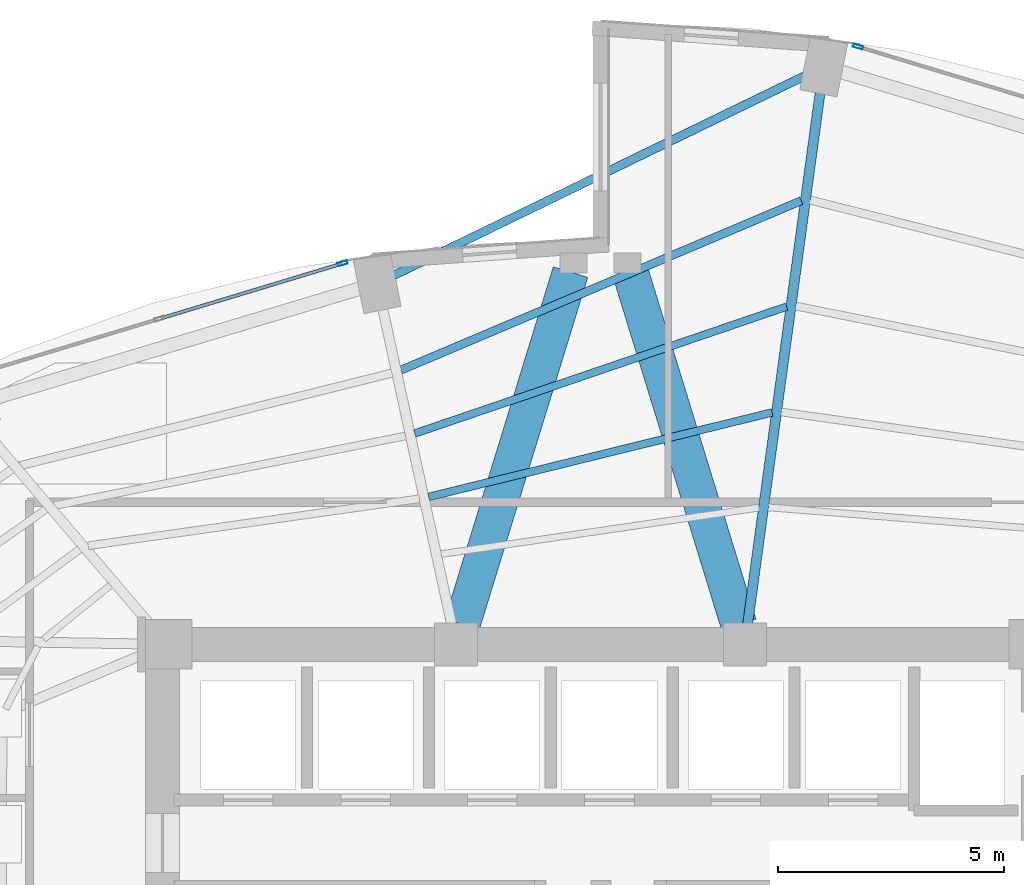
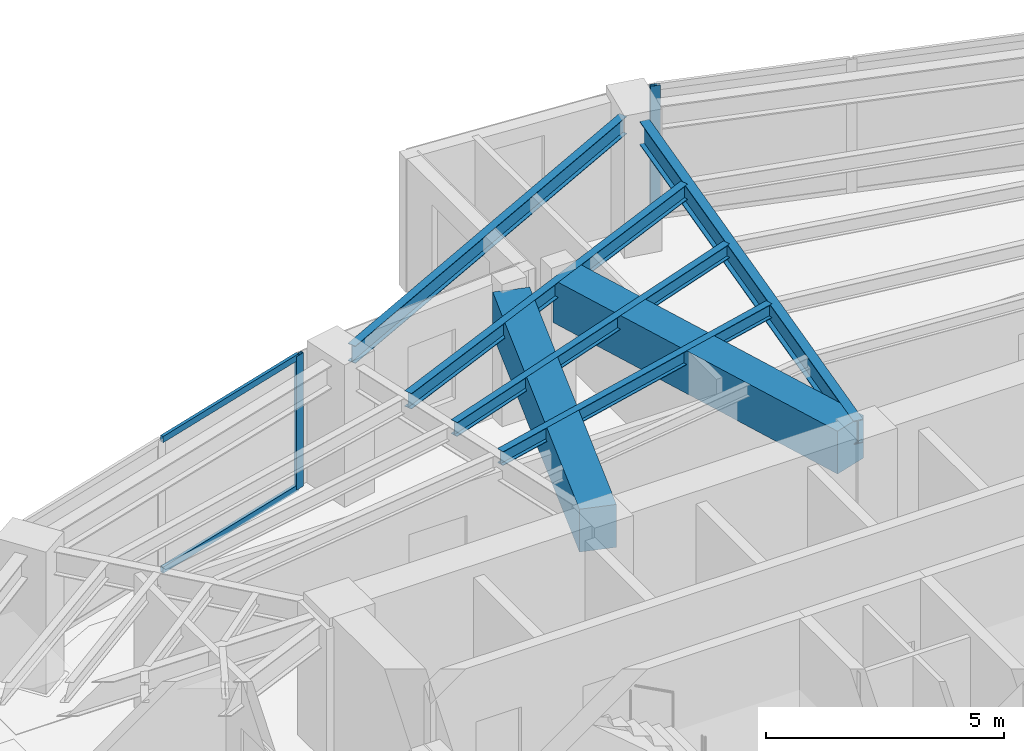
# One storey, part 15 of 23: 7 beams, 4 members, 2 elements without a shape of their own.
"""IFC4 building model written with IfcOpenShell, lengths in metres."""

from ifc_helpers import new_model, si_unit, direction, frame, origin, origin_2d, place, context, subcontext, project, spatial, rectangle, hollow_rectangle, i_section, extrude, material, layer, layer_set, material_profile, profile_set, type_object, element, aggregate, save


model = new_model("IFC4")

# Units and contexts
model_context = context("Model", 3, precision=1e-05, world=origin(), true_north=direction((0.0, 1.0)))
body_context = subcontext(model_context, "Body", "Model", "MODEL_VIEW")
ifc_project = project(units=[si_unit("LENGTHUNIT", "METRE"), si_unit("AREAUNIT", "SQUARE_METRE"), si_unit("VOLUMEUNIT", "CUBIC_METRE"), si_unit("PLANEANGLEUNIT", "RADIAN"), si_unit("MASSUNIT", "GRAM", prefix="KILO")], contexts=[model_context])

# Site, building, storey
site_placement = place(None, origin())
site = spatial("IfcSite", under=ifc_project, at=site_placement, CompositionType="ELEMENT")
building_placement = place(site_placement, origin())
building = spatial("IfcBuilding", under=site, at=building_placement, Name="Lazwardi Medical Tower", CompositionType="ELEMENT")
storey_placement = place(building_placement, frame((0.0, 0.0, 92.68798828125)))
storey = spatial("IfcBuildingStorey", under=building, at=storey_placement, Name="L23", CompositionType="ELEMENT", Elevation=92.68798828125)

# Beams
ifc_material_1 = material(Name="Concrete C70/85", Category="concrete")
ifc_material_profile_1 = material_profile(ifc_material_1, rectangle(XDim=0.800048828125, YDim=1.10009765625, at=origin_2d()), Name="RC 800x1100")
ifc_profile_set_1 = profile_set([ifc_material_profile_1], Name="Concrete C70/85")
beam_type_1 = type_object("IfcBeamType", Name="BM-CB-RC1", PredefinedType="LINTEL", material=ifc_profile_set_1)
for number, where, z_axis, x_axis, name in (
    (1, (32.935302734375, 36.039794921875, 2.8779296875), (0.294073251002, 0.955782884888, 0.0), (-0.955782884888, 0.294073251002, 0.0), "Core coupling lintel CB-01 PL1 L23"),
    (2, (39.064697265625, 36.039794921875, 2.8779296875), (-0.294073251002, 0.955782884888, 0.0), (-0.955782884888, -0.294073251002, 0.0), "Core coupling lintel CB-01 PL2 L23"),
):
    element("IfcBeam", number, at=place(storey_placement, frame(where, z_axis=z_axis, x_axis=x_axis)), inside=storey, type_object=beam_type_1, Name=name, PredefinedType="LINTEL", context=body_context, shape_type="SweptSolid", body=[
        extrude(rectangle(XDim=0.800048828125, YDim=1.10009765625, at=origin_2d()), origin(), (0.0, 0.0, 1.0), 8.1708984375),
    ])
ifc_material_2 = material(Name="Steel S355", Category="steel")
ifc_material_profile_2 = material_profile(ifc_material_2, i_section(OverallWidth=0.219970703125, OverallDepth=0.60009765625, WebThickness=0.011962890625, FlangeThickness=0.01904296875, at=origin_2d()), Name="IPE 600")
ifc_profile_set_2 = profile_set([ifc_material_profile_2], Name="Steel S355")
beam_type_2 = type_object("IfcBeamType", Name="BM-RG-W1", PredefinedType="BEAM", material=ifc_profile_set_2)
beam_1_placement = place(storey_placement, frame((40.8671875, 47.82275390625, 3.1279296875), z_axis=(-0.135147148002, -0.990825538825, 0.0), x_axis=(0.990825538825, -0.135147148002, 0.0)))
element("IfcBeam", 3, at=beam_1_placement, inside=storey, type_object=beam_type_2, Name="Radial girder RG-02 R08 L23", PredefinedType="BEAM", context=body_context, shape_type="SweptSolid", body=[
    extrude(i_section(OverallWidth=0.219970703125, OverallDepth=0.60009765625, WebThickness=0.011962890625, FlangeThickness=0.01904296875, at=origin_2d()), origin(), (0.0, 0.0, 1.0), 11.875732421875),
])
ifc_material_profile_3 = material_profile(ifc_material_2, i_section(OverallWidth=0.179931640625, OverallDepth=0.39990234375, WebThickness=0.008544921875, FlangeThickness=0.013427734375, at=origin_2d()), Name="IPE 400")
ifc_profile_set_3 = profile_set([ifc_material_profile_3], Name="Steel S355")
beam_type_3 = type_object("IfcBeamType", Name="BM-SJ-01", PredefinedType="JOIST", material=ifc_profile_set_3)
beam_2_placement = place(storey_placement, frame((40.449462890625, 45.428466796875, 3.22802734375), z_axis=(-0.920947307957, -0.389687125739, 0.0), x_axis=(0.389687125739, -0.920947307957, 0.0)))
element("IfcBeam", 4, at=beam_2_placement, inside=storey, type_object=beam_type_3, Name="Secondary joist SJ-01 R1 B08 L23", PredefinedType="JOIST", context=body_context, shape_type="SweptSolid", body=[
    extrude(i_section(OverallWidth=0.179931640625, OverallDepth=0.39990234375, WebThickness=0.008544921875, FlangeThickness=0.013427734375, at=origin_2d()), origin(), (0.0, 0.0, 1.0), 9.63134765625),
])
ifc_material_profile_4 = material_profile(ifc_material_2, i_section(OverallWidth=0.169921875, OverallDepth=0.360107421875, WebThickness=0.008056640625, FlangeThickness=0.0126953125, at=origin_2d()), Name="IPE 360")
ifc_profile_set_4 = profile_set([ifc_material_profile_4], Name="Steel S355")
beam_type_4 = type_object("IfcBeamType", Name="BM-SJ-02", PredefinedType="JOIST", material=ifc_profile_set_4)
beam_3_placement = place(storey_placement, frame((40.125732421875, 43.08203125, 3.248046875), z_axis=(-0.946467154368, -0.322800132749, 0.0), x_axis=(0.322800132749, -0.946467154368, 0.0)))
element("IfcBeam", 5, at=beam_3_placement, inside=storey, type_object=beam_type_4, Name="Secondary joist SJ-02 R2 B08 L23", PredefinedType="JOIST", context=body_context, shape_type="SweptSolid", body=[
    extrude(i_section(OverallWidth=0.169921875, OverallDepth=0.360107421875, WebThickness=0.008056640625, FlangeThickness=0.0126953125, at=origin_2d()), origin(), (0.0, 0.0, 1.0), 8.70458984375),
])
beam_4_placement = place(storey_placement, frame((39.80224609375, 40.737548828125, 3.248046875), z_axis=(-0.97107737879, -0.238764998276, 0.0), x_axis=(0.238764998276, -0.97107737879, 0.0)))
element("IfcBeam", 6, at=beam_4_placement, inside=storey, type_object=beam_type_4, Name="Secondary joist SJ-02 R3 B08 L23", PredefinedType="JOIST", context=body_context, shape_type="SweptSolid", body=[
    extrude(i_section(OverallWidth=0.169921875, OverallDepth=0.360107421875, WebThickness=0.008056640625, FlangeThickness=0.0126953125, at=origin_2d()), origin(), (0.0, 0.0, 1.0), 7.83447265625),
])
ifc_material_profile_5 = material_profile(ifc_material_2, i_section(OverallWidth=0.18994140625, OverallDepth=0.449951171875, WebThickness=0.009521484375, FlangeThickness=0.0146484375, at=origin_2d()), Name="IPE 450")
ifc_profile_set_5 = profile_set([ifc_material_profile_5], Name="Steel S355")
beam_type_5 = type_object("IfcBeamType", Name="BM-SP-01", PredefinedType="SPANDREL", material=ifc_profile_set_5)
beam_5_placement = place(storey_placement, frame((40.57666015625, 48.218505859375, 3.203125), z_axis=(-0.899653336227, -0.436604941125, 0.0), x_axis=(0.436604941125, -0.899653336227, 0.0)))
element("IfcBeam", 7, at=beam_5_placement, inside=storey, type_object=beam_type_5, Name="Spandrel beam SP-01 B08 L23", PredefinedType="SPANDREL", context=body_context, shape_type="SweptSolid", body=[
    extrude(i_section(OverallWidth=0.18994140625, OverallDepth=0.449951171875, WebThickness=0.009521484375, FlangeThickness=0.0146484375, at=origin_2d()), origin(), (0.0, 0.0, 1.0), 10.17431640625),
])

# Curtain wall, member
ifc_material_3 = material(Name="Anodised bronze aluminium and solar control glazing", Category="aluminium")
ifc_layer = layer(ifc_material_3, 0.195068359375)
ifc_layer_set = layer_set([ifc_layer], Name="Anodised bronze aluminium and solar control glazing")
curtain_wall_type = type_object("IfcCurtainWallType", Name="CW-SYS-03", PredefinedType="NOTDEFINED", material=ifc_layer_set)
curtain_wall_1_placement = place(storey_placement, origin())
curtain_wall_1 = element("IfcCurtainWall", 8, at=curtain_wall_1_placement, inside=storey, type_object=curtain_wall_type, Name="L23 Unitised bronze curtain wall CW-03", PredefinedType="NOTDEFINED")
ifc_material_4 = material(Name="Anodised bronze aluminium", Category="aluminium")
ifc_material_profile_6 = material_profile(ifc_material_4, hollow_rectangle(XDim=0.074951171875, YDim=0.219970703125, WallThickness=0.00390625, at=origin_2d()), Name="ALU-MULLION 220x75x4")
ifc_profile_set_6 = profile_set([ifc_material_profile_6], Name="Anodised bronze aluminium")
member_type_1 = type_object("IfcMemberType", Name="CW-MUL-01", PredefinedType="MULLION", material=ifc_profile_set_6)
member_1_placement = place(storey_placement, frame((41.710205078125, 48.840087890625, 0.0), z_axis=(0.0, 0.0, 1.0), x_axis=(-0.28937381157, -0.957216170558, 0.0)))
member_1 = element("IfcMember", 9, at=member_1_placement, type_object=member_type_1, Name="CW-03 mullion 3", PredefinedType="MULLION", context=body_context, shape_type="SweptSolid", body=[
    extrude(hollow_rectangle(XDim=0.074951171875, YDim=0.219970703125, WallThickness=0.00390625, at=origin_2d()), origin(), (0.0, 0.0, 1.0), 3.427978515625),
])
aggregate(curtain_wall_1, [member_1])

# Curtain wall, members
curtain_wall_2_placement = place(storey_placement, origin())
curtain_wall_2 = element("IfcCurtainWall", 10, at=curtain_wall_2_placement, inside=storey, type_object=curtain_wall_type, Name="L23 Unitised bronze curtain wall CW-03", PredefinedType="NOTDEFINED")
member_2_placement = place(storey_placement, frame((30.289794921875, 44.0400390625, 0.0), z_axis=(0.0, 0.0, 1.0), x_axis=(0.28937381157, -0.957216170558, 0.0)))
member_2 = element("IfcMember", 11, at=member_2_placement, type_object=member_type_1, Name="CW-03 mullion 1", PredefinedType="MULLION", context=body_context, shape_type="SweptSolid", body=[
    extrude(hollow_rectangle(XDim=0.074951171875, YDim=0.219970703125, WallThickness=0.00390625, at=origin_2d()), origin(), (0.0, 0.0, 1.0), 3.427978515625),
])
ifc_material_profile_7 = material_profile(ifc_material_4, hollow_rectangle(XDim=0.074951171875, YDim=0.159912109375, WallThickness=0.00390625, at=origin_2d()), Name="ALU-TRANSOM 160x75x4")
ifc_profile_set_7 = profile_set([ifc_material_profile_7], Name="Anodised bronze aluminium")
member_type_2 = type_object("IfcMemberType", Name="CW-TRN-01", PredefinedType="USERDEFINED", material=ifc_profile_set_7)
member_3_placement = place(storey_placement, frame((30.25390625, 44.029296875, 0.03759765625), z_axis=(-0.957220865985, -0.289358279168, 0.0), x_axis=(0.289358279168, -0.957220865985, 0.0)))
member_3 = element("IfcMember", 12, at=member_3_placement, type_object=member_type_2, Name="CW-03 transom 1.1", ObjectType="TRANSOM", PredefinedType="USERDEFINED", context=body_context, shape_type="SweptSolid", body=[
    extrude(hollow_rectangle(XDim=0.074951171875, YDim=0.159912109375, WallThickness=0.00390625, at=origin_2d()), origin(), (0.0, 0.0, 1.0), 4.16552734375),
])
member_4_placement = place(storey_placement, frame((30.25390625, 44.029296875, 3.390625), z_axis=(-0.957220865985, -0.289358279168, 0.0), x_axis=(0.289358279168, -0.957220865985, 0.0)))
member_4 = element("IfcMember", 13, at=member_4_placement, type_object=member_type_2, Name="CW-03 transom 1.2", ObjectType="TRANSOM", PredefinedType="USERDEFINED", context=body_context, shape_type="SweptSolid", body=[
    extrude(hollow_rectangle(XDim=0.074951171875, YDim=0.159912109375, WallThickness=0.00390625, at=origin_2d()), origin(), (0.0, 0.0, 1.0), 4.16552734375),
])
aggregate(curtain_wall_2, [member_2, member_3, member_4])

save(model, "model.ifc")
